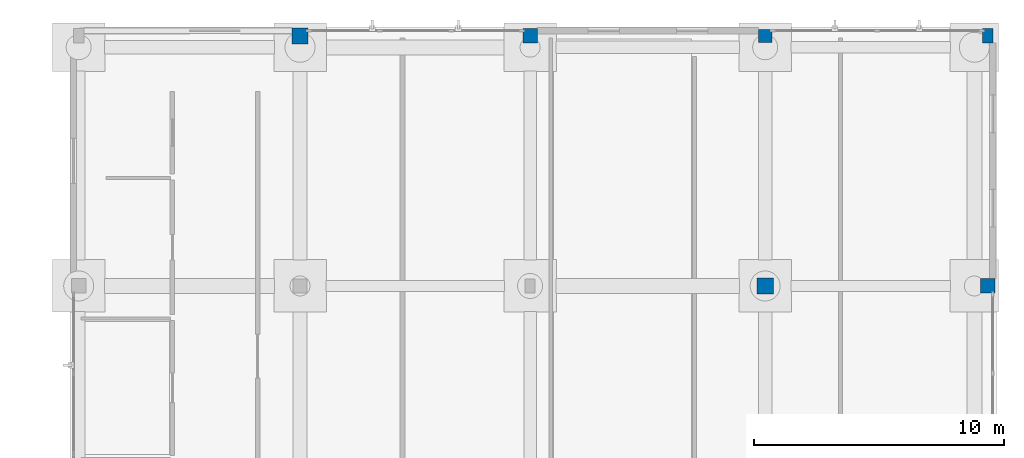
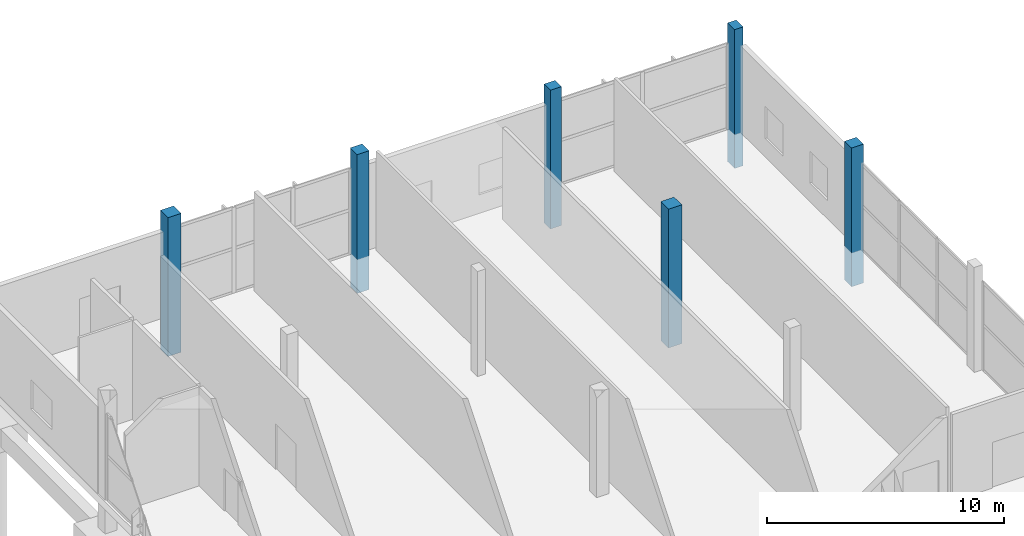
# One storey, part 16 of 88: 6 columns.
"""IFC4 building model written with IfcOpenShell, lengths in metres."""

from ifc_helpers import new_model, si_unit, direction, frame, origin, origin_2d, place, context, subcontext, project, spatial, rectangle, extrude, material, material_profile, profile_set, type_object, element, save


model = new_model("IFC4")

# Units and contexts
model_context = context("Model", 3, precision=1e-05, world=origin(), true_north=direction((0.0, 1.0)))
body_context = subcontext(model_context, "Body", "Model", "MODEL_VIEW")
ifc_project = project(units=[si_unit("LENGTHUNIT", "METRE"), si_unit("AREAUNIT", "SQUARE_METRE"), si_unit("VOLUMEUNIT", "CUBIC_METRE"), si_unit("PLANEANGLEUNIT", "RADIAN"), si_unit("MASSUNIT", "GRAM", prefix="KILO")], contexts=[model_context])

# Site, building, storey
site_placement = place(None, origin())
site = spatial("IfcSite", under=ifc_project, at=site_placement, CompositionType="ELEMENT")
building_placement = place(site_placement, origin())
building = spatial("IfcBuilding", under=site, at=building_placement, Name="Birchvale Park Specialist Clinic", CompositionType="ELEMENT")
storey_placement = place(building_placement, origin())
storey = spatial("IfcBuildingStorey", under=building, at=storey_placement, Name="L00", CompositionType="ELEMENT", Elevation=0.0)

# Columns
ifc_material = material(Name="Concrete C40/50", Category="concrete")
ifc_material_profile_1 = material_profile(ifc_material, rectangle(XDim=0.6298828125, YDim=0.6298828125, at=origin_2d()), Name="RC-630x630")
ifc_profile_set_1 = profile_set([ifc_material_profile_1], Name="Concrete C40/50")
column_type_1 = type_object("IfcColumnType", Name="COL-EXT-C02", PredefinedType="COLUMN", material=ifc_profile_set_1)
column_1_placement = place(storey_placement, frame((137.199951171875, 111.39990234375, -1.75), z_axis=(0.0, 0.0, 1.0), x_axis=(1.0, 0.0, 0.0)))
element("IfcColumn", 1, at=column_1_placement, inside=storey, type_object=column_type_1, Name="V6 L00 column 12", PredefinedType="COLUMN", context=body_context, shape_type="SweptSolid", body=[
    extrude(rectangle(XDim=0.6298828125, YDim=0.6298828125, at=origin_2d()), origin(), (0.0, 0.0, 1.0), 7.14990234375),
])
ifc_material_profile_2 = material_profile(ifc_material, rectangle(XDim=0.580078125, YDim=0.580078125, at=origin_2d()), Name="RC-580x580")
ifc_profile_set_2 = profile_set([ifc_material_profile_2], Name="Concrete C40/50")
column_type_2 = type_object("IfcColumnType", Name="COL-EXT-C03", PredefinedType="COLUMN", material=ifc_profile_set_2)
for number, where, z_axis, x_axis, name in (
    (2, (146.39990234375, 111.39990234375, -1.75), (0.0, 0.0, 1.0), (1.0, 0.0, 0.0), "V6 L00 column 18"),
    (3, (164.699951171875, 101.39990234375, -1.75), (0.0, 0.0, 1.0), (1.0, 0.0, 0.0), "V6 L00 column 29"),
):
    element("IfcColumn", number, at=place(storey_placement, frame(where, z_axis=z_axis, x_axis=x_axis)), inside=storey, type_object=column_type_2, Name=name, PredefinedType="COLUMN", context=body_context, shape_type="SweptSolid", body=[
        extrude(rectangle(XDim=0.580078125, YDim=0.580078125, at=origin_2d()), origin(), (0.0, 0.0, 1.0), 7.14990234375),
    ])
ifc_material_profile_3 = material_profile(ifc_material, rectangle(XDim=0.530029296875, YDim=0.530029296875, at=origin_2d()), Name="RC-530x530")
ifc_profile_set_3 = profile_set([ifc_material_profile_3], Name="Concrete C40/50")
column_type_3 = type_object("IfcColumnType", Name="COL-EXT-C04", PredefinedType="COLUMN", material=ifc_profile_set_3)
column_2_placement = place(storey_placement, frame((155.800048828125, 111.39990234375, -1.75), z_axis=(0.0, 0.0, 1.0), x_axis=(1.0, 0.0, 0.0)))
element("IfcColumn", 4, at=column_2_placement, inside=storey, type_object=column_type_3, Name="V6 L00 column 24", PredefinedType="COLUMN", context=body_context, shape_type="SweptSolid", body=[
    extrude(rectangle(XDim=0.530029296875, YDim=0.530029296875, at=origin_2d()), origin(), (0.0, 0.0, 1.0), 7.14990234375),
])
ifc_material_profile_4 = material_profile(ifc_material, rectangle(XDim=0.419921875, YDim=0.580078125, at=origin_2d()), Name="RC-420x580")
ifc_profile_set_4 = profile_set([ifc_material_profile_4], Name="Concrete C40/50")
column_type_4 = type_object("IfcColumnType", Name="COL-EXT-C10", PredefinedType="COLUMN", material=ifc_profile_set_4)
column_3_placement = place(storey_placement, frame((164.699951171875, 111.39990234375, -1.75), z_axis=(0.0, 0.0, 1.0), x_axis=(1.0, 0.0, 0.0)))
element("IfcColumn", 5, at=column_3_placement, inside=storey, type_object=column_type_4, Name="V6 L00 column 30", PredefinedType="COLUMN", context=body_context, shape_type="SweptSolid", body=[
    extrude(rectangle(XDim=0.419921875, YDim=0.580078125, at=origin_2d()), origin(), (0.0, 0.0, 1.0), 7.14990234375),
])
ifc_material_profile_5 = material_profile(ifc_material, rectangle(XDim=0.64990234375, YDim=0.64990234375, at=origin_2d()), Name="RC-650x650")
ifc_profile_set_5 = profile_set([ifc_material_profile_5], Name="Concrete C40/50")
column_type_5 = type_object("IfcColumnType", Name="COL-INT-C02", PredefinedType="COLUMN", material=ifc_profile_set_5)
column_4_placement = place(storey_placement, frame((155.800048828125, 101.39990234375, -1.75), z_axis=(0.0, 0.0, 1.0), x_axis=(1.0, 0.0, 0.0)))
element("IfcColumn", 6, at=column_4_placement, inside=storey, type_object=column_type_5, Name="V6 L00 column 23", PredefinedType="COLUMN", context=body_context, shape_type="SweptSolid", body=[
    extrude(rectangle(XDim=0.64990234375, YDim=0.64990234375, at=origin_2d()), origin(), (0.0, 0.0, 1.0), 7.14990234375),
])

save(model, "model.ifc")
